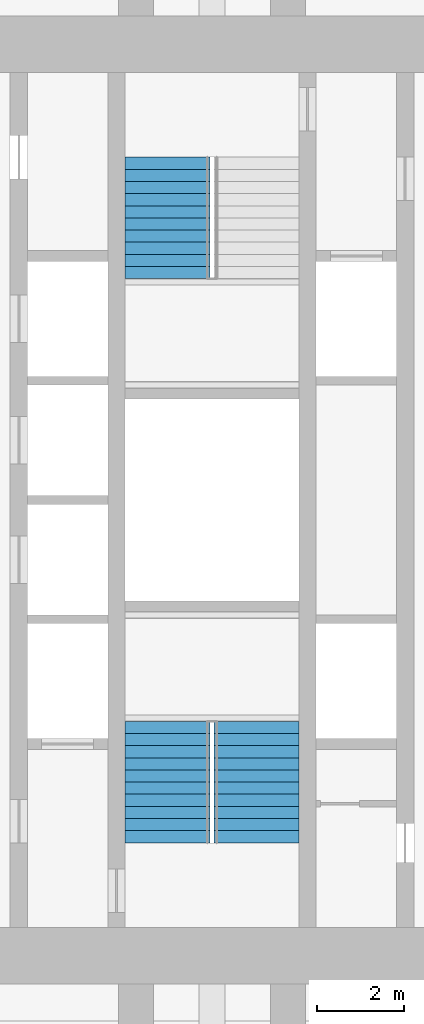
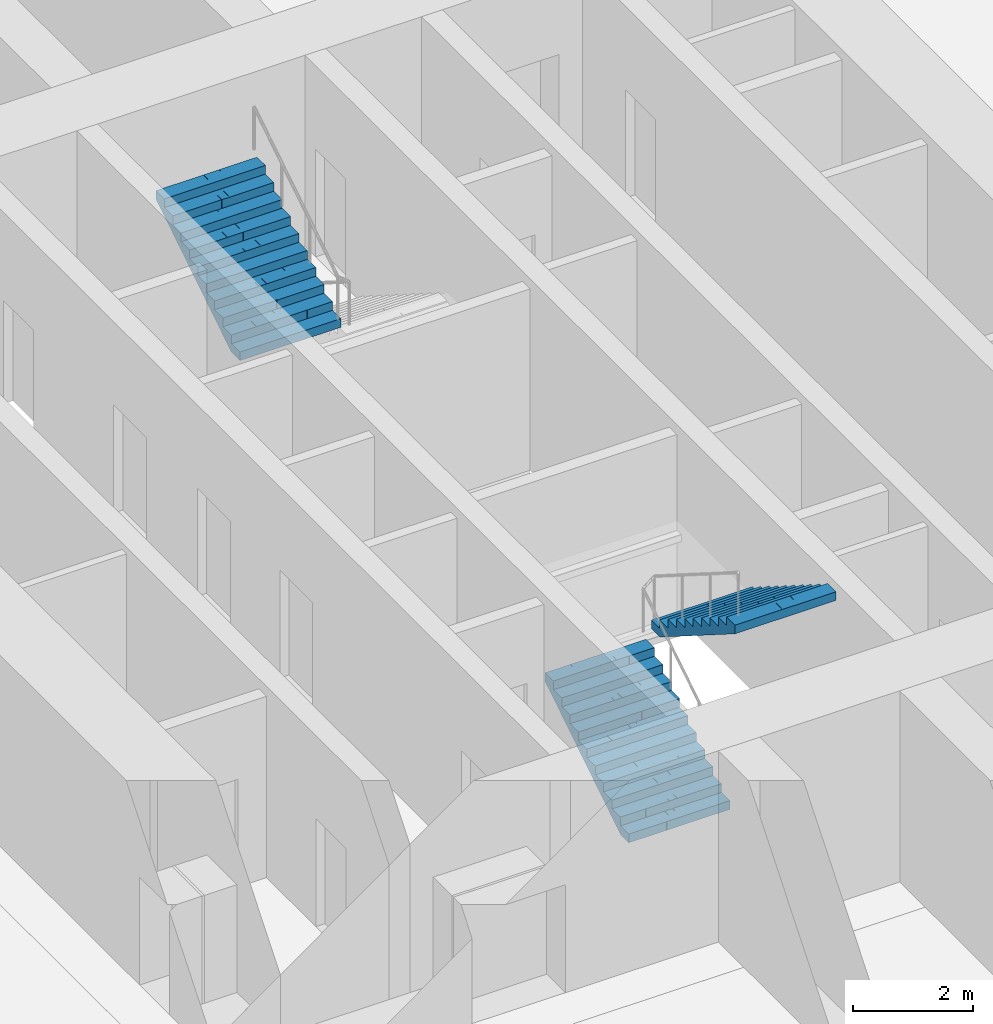
# One storey, part 18 of 20: 3 stair flights, 2 elements without a shape of their own.
"""IFC4 building model written with IfcOpenShell, lengths in metres."""

from ifc_helpers import new_model, si_unit, direction, frame, origin, place, context, subcontext, project, spatial, polyline, outline, extrude, material, type_object, element, aggregate, save


model = new_model("IFC4")

# Units and contexts
model_context = context("Model", 3, precision=1e-05, world=origin(), true_north=direction((0.0, 1.0)))
body_context = subcontext(model_context, "Body", "Model", "MODEL_VIEW")
ifc_project = project(units=[si_unit("LENGTHUNIT", "METRE"), si_unit("AREAUNIT", "SQUARE_METRE"), si_unit("VOLUMEUNIT", "CUBIC_METRE"), si_unit("PLANEANGLEUNIT", "RADIAN"), si_unit("MASSUNIT", "GRAM", prefix="KILO")], contexts=[model_context])

# Site, building, storey
site_placement = place(None, origin())
site = spatial("IfcSite", under=ifc_project, at=site_placement, CompositionType="ELEMENT")
building_placement = place(site_placement, origin())
building = spatial("IfcBuilding", under=site, at=building_placement, Name="Mizan Broadcast Tower", CompositionType="ELEMENT")
storey_placement = place(building_placement, frame((0.0, 0.0, 139.800048828125)))
storey = spatial("IfcBuildingStorey", under=building, at=storey_placement, Name="L31", CompositionType="ELEMENT", Elevation=139.800048828125)

# Stair, stair flights
ifc_material_1 = material(Name="Concrete C40/50", Category="concrete")
stair_type = type_object("IfcStairType", Name="EXIT STAIR", PredefinedType="HALF_TURN_STAIR", material=ifc_material_1)
stair_1_placement = place(storey_placement, origin())
stair_1 = element("IfcStair", 1, at=stair_1_placement, inside=storey, type_object=stair_type, Name="Stair A L31", PredefinedType="HALF_TURN_STAIR")
ifc_material_2 = material(Name="Concrete C40/50", Category="concrete")
stair_flight_type = type_object("IfcStairFlightType", Name="EXIT STAIR FLIGHT", PredefinedType="STRAIGHT", material=ifc_material_2)
stair_flight_1_placement = place(storey_placement, frame((-1.02490234375, -7.89990234375, 0.0), z_axis=(0.0, 0.0, 1.0), x_axis=(0.0, 1.0, 0.0)))
stair_flight_1 = element("IfcStairFlight", 2, at=stair_flight_1_placement, type_object=stair_flight_type, Name="A flight 1", NumberOfRisers=11, NumberOfTreads=10, PredefinedType="STRAIGHT", RiserHeight=0.177272727, TreadLength=0.28, context=body_context, shape_type="SweptSolid", body=[
    extrude(outline(polyline([(0.0, 0.0), (0.0, 0.17724609375), (0.280029296875, 0.17724609375), (0.280029296875, 0.3544921875), (0.56005859375, 0.3544921875), (0.56005859375, 0.53173828125), (0.840087890625, 0.53173828125), (0.840087890625, 0.708984375), (1.1201171875, 0.708984375), (1.1201171875, 0.886474609375), (1.39990234375, 0.886474609375), (1.39990234375, 1.063720703125), (1.679931640625, 1.063720703125), (1.679931640625, 1.240966796875), (1.9599609375, 1.240966796875), (1.9599609375, 1.418212890625), (2.239990234375, 1.418212890625), (2.239990234375, 1.595458984375), (2.52001953125, 1.595458984375), (2.52001953125, 1.772705078125), (2.800048828125, 1.772705078125), (2.800048828125, 1.949951171875), (2.800048828125, 1.59521484375), (0.2802734375, 0.0), (0.0, 0.0)])), frame((0.0, 0.97509765625, 0.0), z_axis=(0.0, -1.0, 0.0), x_axis=(1.0, 0.0, 0.0)), (0.0, 0.0, 1.0), 0.4873046875),
    extrude(outline(polyline([(0.0, 0.0), (0.0, 0.17724609375), (0.280029296875, 0.17724609375), (0.280029296875, 0.3544921875), (0.56005859375, 0.3544921875), (0.56005859375, 0.53173828125), (0.840087890625, 0.53173828125), (0.840087890625, 0.708984375), (1.1201171875, 0.708984375), (1.1201171875, 0.886474609375), (1.39990234375, 0.886474609375), (1.39990234375, 1.063720703125), (1.679931640625, 1.063720703125), (1.679931640625, 1.240966796875), (1.9599609375, 1.240966796875), (1.9599609375, 1.418212890625), (2.239990234375, 1.418212890625), (2.239990234375, 1.595458984375), (2.52001953125, 1.595458984375), (2.52001953125, 1.772705078125), (2.800048828125, 1.772705078125), (2.800048828125, 1.949951171875), (2.800048828125, 1.59521484375), (0.2802734375, 0.0), (0.0, 0.0)])), frame((0.0, 0.4873046875, 0.0), z_axis=(0.0, -1.0, 0.0), x_axis=(1.0, 0.0, 0.0)), (0.0, 0.0, 1.0), 0.2431640625),
    extrude(outline(polyline([(0.0, 0.0), (0.0, 0.17724609375), (0.280029296875, 0.17724609375), (0.280029296875, 0.3544921875), (0.56005859375, 0.3544921875), (0.56005859375, 0.53173828125), (0.840087890625, 0.53173828125), (0.840087890625, 0.708984375), (1.1201171875, 0.708984375), (1.1201171875, 0.886474609375), (1.39990234375, 0.886474609375), (1.39990234375, 1.063720703125), (1.679931640625, 1.063720703125), (1.679931640625, 1.240966796875), (1.9599609375, 1.240966796875), (1.9599609375, 1.418212890625), (2.239990234375, 1.418212890625), (2.239990234375, 1.595458984375), (2.52001953125, 1.595458984375), (2.52001953125, 1.772705078125), (2.800048828125, 1.772705078125), (2.800048828125, 1.949951171875), (2.800048828125, 1.59521484375), (0.2802734375, 0.0), (0.0, 0.0)])), frame((0.0, 0.24365234375, 0.0), z_axis=(0.0, -1.0, 0.0), x_axis=(1.0, 0.0, 0.0)), (0.0, 0.0, 1.0), 0.121337890625),
    extrude(outline(polyline([(0.0, 0.0), (0.0, 0.17724609375), (0.280029296875, 0.17724609375), (0.280029296875, 0.3544921875), (0.56005859375, 0.3544921875), (0.56005859375, 0.53173828125), (0.840087890625, 0.53173828125), (0.840087890625, 0.708984375), (1.1201171875, 0.708984375), (1.1201171875, 0.886474609375), (1.39990234375, 0.886474609375), (1.39990234375, 1.063720703125), (1.679931640625, 1.063720703125), (1.679931640625, 1.240966796875), (1.9599609375, 1.240966796875), (1.9599609375, 1.418212890625), (2.239990234375, 1.418212890625), (2.239990234375, 1.595458984375), (2.52001953125, 1.595458984375), (2.52001953125, 1.772705078125), (2.800048828125, 1.772705078125), (2.800048828125, 1.949951171875), (2.800048828125, 1.59521484375), (0.2802734375, 0.0), (0.0, 0.0)])), frame((0.0, 0.121826171875, 0.0), z_axis=(0.0, -1.0, 0.0), x_axis=(1.0, 0.0, 0.0)), (0.0, 0.0, 1.0), 0.060546875),
    extrude(outline(polyline([(0.0, 0.0), (0.0, 0.17724609375), (0.280029296875, 0.17724609375), (0.280029296875, 0.3544921875), (0.56005859375, 0.3544921875), (0.56005859375, 0.53173828125), (0.840087890625, 0.53173828125), (0.840087890625, 0.708984375), (1.1201171875, 0.708984375), (1.1201171875, 0.886474609375), (1.39990234375, 0.886474609375), (1.39990234375, 1.063720703125), (1.679931640625, 1.063720703125), (1.679931640625, 1.240966796875), (1.9599609375, 1.240966796875), (1.9599609375, 1.418212890625), (2.239990234375, 1.418212890625), (2.239990234375, 1.595458984375), (2.52001953125, 1.595458984375), (2.52001953125, 1.772705078125), (2.800048828125, 1.772705078125), (2.800048828125, 1.949951171875), (2.800048828125, 1.59521484375), (0.2802734375, 0.0), (0.0, 0.0)])), frame((0.0, 0.060791015625, 0.0), z_axis=(0.0, -1.0, 0.0), x_axis=(1.0, 0.0, 0.0)), (0.0, 0.0, 1.0), 0.030029296875),
    extrude(outline(polyline([(0.0, 0.0), (0.0, 0.17724609375), (0.280029296875, 0.17724609375), (0.280029296875, 0.3544921875), (0.56005859375, 0.3544921875), (0.56005859375, 0.53173828125), (0.840087890625, 0.53173828125), (0.840087890625, 0.708984375), (1.1201171875, 0.708984375), (1.1201171875, 0.886474609375), (1.39990234375, 0.886474609375), (1.39990234375, 1.063720703125), (1.679931640625, 1.063720703125), (1.679931640625, 1.240966796875), (1.9599609375, 1.240966796875), (1.9599609375, 1.418212890625), (2.239990234375, 1.418212890625), (2.239990234375, 1.595458984375), (2.52001953125, 1.595458984375), (2.52001953125, 1.772705078125), (2.800048828125, 1.772705078125), (2.800048828125, 1.949951171875), (2.800048828125, 1.59521484375), (0.2802734375, 0.0), (0.0, 0.0)])), frame((0.0, 0.0302734375, 0.0), z_axis=(0.0, -1.0, 0.0), x_axis=(1.0, 0.0, 0.0)), (0.0, 0.0, 1.0), 0.060302734375),
    extrude(outline(polyline([(0.0, 0.0), (0.0, 0.17724609375), (0.280029296875, 0.17724609375), (0.280029296875, 0.3544921875), (0.56005859375, 0.3544921875), (0.56005859375, 0.53173828125), (0.840087890625, 0.53173828125), (0.840087890625, 0.708984375), (1.1201171875, 0.708984375), (1.1201171875, 0.886474609375), (1.39990234375, 0.886474609375), (1.39990234375, 1.063720703125), (1.679931640625, 1.063720703125), (1.679931640625, 1.240966796875), (1.9599609375, 1.240966796875), (1.9599609375, 1.418212890625), (2.239990234375, 1.418212890625), (2.239990234375, 1.595458984375), (2.52001953125, 1.595458984375), (2.52001953125, 1.772705078125), (2.800048828125, 1.772705078125), (2.800048828125, 1.949951171875), (2.800048828125, 1.59521484375), (0.2802734375, 0.0), (0.0, 0.0)])), frame((0.0, -0.030517578125, 0.0), z_axis=(0.0, -1.0, 0.0), x_axis=(1.0, 0.0, 0.0)), (0.0, 0.0, 1.0), 0.030029296875),
    extrude(outline(polyline([(0.0, 0.0), (0.0, 0.17724609375), (0.280029296875, 0.17724609375), (0.280029296875, 0.3544921875), (0.56005859375, 0.3544921875), (0.56005859375, 0.53173828125), (0.840087890625, 0.53173828125), (0.840087890625, 0.708984375), (1.1201171875, 0.708984375), (1.1201171875, 0.886474609375), (1.39990234375, 0.886474609375), (1.39990234375, 1.063720703125), (1.679931640625, 1.063720703125), (1.679931640625, 1.240966796875), (1.9599609375, 1.240966796875), (1.9599609375, 1.418212890625), (2.239990234375, 1.418212890625), (2.239990234375, 1.595458984375), (2.52001953125, 1.595458984375), (2.52001953125, 1.772705078125), (2.800048828125, 1.772705078125), (2.800048828125, 1.949951171875), (2.800048828125, 1.59521484375), (0.2802734375, 0.0), (0.0, 0.0)])), frame((0.0, -0.06103515625, 0.0), z_axis=(0.0, -1.0, 0.0), x_axis=(1.0, 0.0, 0.0)), (0.0, 0.0, 1.0), 0.060546875),
    extrude(outline(polyline([(0.0, 0.0), (0.0, 0.17724609375), (0.280029296875, 0.17724609375), (0.280029296875, 0.3544921875), (0.56005859375, 0.3544921875), (0.56005859375, 0.53173828125), (0.840087890625, 0.53173828125), (0.840087890625, 0.708984375), (1.1201171875, 0.708984375), (1.1201171875, 0.886474609375), (1.39990234375, 0.886474609375), (1.39990234375, 1.063720703125), (1.679931640625, 1.063720703125), (1.679931640625, 1.240966796875), (1.9599609375, 1.240966796875), (1.9599609375, 1.418212890625), (2.239990234375, 1.418212890625), (2.239990234375, 1.595458984375), (2.52001953125, 1.595458984375), (2.52001953125, 1.772705078125), (2.800048828125, 1.772705078125), (2.800048828125, 1.949951171875), (2.800048828125, 1.59521484375), (0.2802734375, 0.0), (0.0, 0.0)])), frame((0.0, -0.1220703125, 0.0), z_axis=(0.0, -1.0, 0.0), x_axis=(1.0, 0.0, 0.0)), (0.0, 0.0, 1.0), 0.121337890625),
    extrude(outline(polyline([(0.0, 0.0), (0.0, 0.17724609375), (0.280029296875, 0.17724609375), (0.280029296875, 0.3544921875), (0.56005859375, 0.3544921875), (0.56005859375, 0.53173828125), (0.840087890625, 0.53173828125), (0.840087890625, 0.708984375), (1.1201171875, 0.708984375), (1.1201171875, 0.886474609375), (1.39990234375, 0.886474609375), (1.39990234375, 1.063720703125), (1.679931640625, 1.063720703125), (1.679931640625, 1.240966796875), (1.9599609375, 1.240966796875), (1.9599609375, 1.418212890625), (2.239990234375, 1.418212890625), (2.239990234375, 1.595458984375), (2.52001953125, 1.595458984375), (2.52001953125, 1.772705078125), (2.800048828125, 1.772705078125), (2.800048828125, 1.949951171875), (2.800048828125, 1.59521484375), (0.2802734375, 0.0), (0.0, 0.0)])), frame((0.0, -0.243896484375, 0.0), z_axis=(0.0, -1.0, 0.0), x_axis=(1.0, 0.0, 0.0)), (0.0, 0.0, 1.0), 0.2431640625),
    extrude(outline(polyline([(0.0, 0.0), (0.0, 0.17724609375), (0.280029296875, 0.17724609375), (0.280029296875, 0.3544921875), (0.56005859375, 0.3544921875), (0.56005859375, 0.53173828125), (0.840087890625, 0.53173828125), (0.840087890625, 0.708984375), (1.1201171875, 0.708984375), (1.1201171875, 0.886474609375), (1.39990234375, 0.886474609375), (1.39990234375, 1.063720703125), (1.679931640625, 1.063720703125), (1.679931640625, 1.240966796875), (1.9599609375, 1.240966796875), (1.9599609375, 1.418212890625), (2.239990234375, 1.418212890625), (2.239990234375, 1.595458984375), (2.52001953125, 1.595458984375), (2.52001953125, 1.772705078125), (2.800048828125, 1.772705078125), (2.800048828125, 1.949951171875), (2.800048828125, 1.59521484375), (0.2802734375, 0.0), (0.0, 0.0)])), frame((0.0, -0.487548828125, 0.0), z_axis=(0.0, -1.0, 0.0), x_axis=(1.0, 0.0, 0.0)), (0.0, 0.0, 1.0), 0.4873046875),
])
stair_flight_2_placement = place(storey_placement, frame((1.02490234375, -5.10009765625, 1.949951171875), z_axis=(0.0, 0.0, 1.0), x_axis=(0.0, -1.0, 0.0)))
stair_flight_2 = element("IfcStairFlight", 3, at=stair_flight_2_placement, type_object=stair_flight_type, Name="A flight 2", NumberOfRisers=11, NumberOfTreads=10, PredefinedType="STRAIGHT", RiserHeight=0.177272727, TreadLength=0.28, context=body_context, shape_type="SweptSolid", body=[
    extrude(outline(polyline([(0.0, 0.0), (0.0, 0.17724609375), (0.280029296875, 0.17724609375), (0.280029296875, 0.3544921875), (0.56005859375, 0.3544921875), (0.56005859375, 0.53173828125), (0.840087890625, 0.53173828125), (0.840087890625, 0.708984375), (1.1201171875, 0.708984375), (1.1201171875, 0.886474609375), (1.39990234375, 0.886474609375), (1.39990234375, 1.063720703125), (1.679931640625, 1.063720703125), (1.679931640625, 1.240966796875), (1.9599609375, 1.240966796875), (1.9599609375, 1.418212890625), (2.239990234375, 1.418212890625), (2.239990234375, 1.595458984375), (2.52001953125, 1.595458984375), (2.52001953125, 1.772705078125), (2.800048828125, 1.772705078125), (2.800048828125, 1.949951171875), (2.800048828125, 1.59521484375), (0.2802734375, 0.0), (0.0, 0.0)])), frame((0.0, 0.97509765625, 0.0), z_axis=(0.0, -1.0, 0.0), x_axis=(1.0, 0.0, 0.0)), (0.0, 0.0, 1.0), 0.4873046875),
    extrude(outline(polyline([(0.0, 0.0), (0.0, 0.17724609375), (0.280029296875, 0.17724609375), (0.280029296875, 0.3544921875), (0.56005859375, 0.3544921875), (0.56005859375, 0.53173828125), (0.840087890625, 0.53173828125), (0.840087890625, 0.708984375), (1.1201171875, 0.708984375), (1.1201171875, 0.886474609375), (1.39990234375, 0.886474609375), (1.39990234375, 1.063720703125), (1.679931640625, 1.063720703125), (1.679931640625, 1.240966796875), (1.9599609375, 1.240966796875), (1.9599609375, 1.418212890625), (2.239990234375, 1.418212890625), (2.239990234375, 1.595458984375), (2.52001953125, 1.595458984375), (2.52001953125, 1.772705078125), (2.800048828125, 1.772705078125), (2.800048828125, 1.949951171875), (2.800048828125, 1.59521484375), (0.2802734375, 0.0), (0.0, 0.0)])), frame((0.0, 0.4873046875, 0.0), z_axis=(0.0, -1.0, 0.0), x_axis=(1.0, 0.0, 0.0)), (0.0, 0.0, 1.0), 0.2431640625),
    extrude(outline(polyline([(0.0, 0.0), (0.0, 0.17724609375), (0.280029296875, 0.17724609375), (0.280029296875, 0.3544921875), (0.56005859375, 0.3544921875), (0.56005859375, 0.53173828125), (0.840087890625, 0.53173828125), (0.840087890625, 0.708984375), (1.1201171875, 0.708984375), (1.1201171875, 0.886474609375), (1.39990234375, 0.886474609375), (1.39990234375, 1.063720703125), (1.679931640625, 1.063720703125), (1.679931640625, 1.240966796875), (1.9599609375, 1.240966796875), (1.9599609375, 1.418212890625), (2.239990234375, 1.418212890625), (2.239990234375, 1.595458984375), (2.52001953125, 1.595458984375), (2.52001953125, 1.772705078125), (2.800048828125, 1.772705078125), (2.800048828125, 1.949951171875), (2.800048828125, 1.59521484375), (0.2802734375, 0.0), (0.0, 0.0)])), frame((0.0, 0.24365234375, 0.0), z_axis=(0.0, -1.0, 0.0), x_axis=(1.0, 0.0, 0.0)), (0.0, 0.0, 1.0), 0.121337890625),
    extrude(outline(polyline([(0.0, 0.0), (0.0, 0.17724609375), (0.280029296875, 0.17724609375), (0.280029296875, 0.3544921875), (0.56005859375, 0.3544921875), (0.56005859375, 0.53173828125), (0.840087890625, 0.53173828125), (0.840087890625, 0.708984375), (1.1201171875, 0.708984375), (1.1201171875, 0.886474609375), (1.39990234375, 0.886474609375), (1.39990234375, 1.063720703125), (1.679931640625, 1.063720703125), (1.679931640625, 1.240966796875), (1.9599609375, 1.240966796875), (1.9599609375, 1.418212890625), (2.239990234375, 1.418212890625), (2.239990234375, 1.595458984375), (2.52001953125, 1.595458984375), (2.52001953125, 1.772705078125), (2.800048828125, 1.772705078125), (2.800048828125, 1.949951171875), (2.800048828125, 1.59521484375), (0.2802734375, 0.0), (0.0, 0.0)])), frame((0.0, 0.121826171875, 0.0), z_axis=(0.0, -1.0, 0.0), x_axis=(1.0, 0.0, 0.0)), (0.0, 0.0, 1.0), 0.060546875),
    extrude(outline(polyline([(0.0, 0.0), (0.0, 0.17724609375), (0.280029296875, 0.17724609375), (0.280029296875, 0.3544921875), (0.56005859375, 0.3544921875), (0.56005859375, 0.53173828125), (0.840087890625, 0.53173828125), (0.840087890625, 0.708984375), (1.1201171875, 0.708984375), (1.1201171875, 0.886474609375), (1.39990234375, 0.886474609375), (1.39990234375, 1.063720703125), (1.679931640625, 1.063720703125), (1.679931640625, 1.240966796875), (1.9599609375, 1.240966796875), (1.9599609375, 1.418212890625), (2.239990234375, 1.418212890625), (2.239990234375, 1.595458984375), (2.52001953125, 1.595458984375), (2.52001953125, 1.772705078125), (2.800048828125, 1.772705078125), (2.800048828125, 1.949951171875), (2.800048828125, 1.59521484375), (0.2802734375, 0.0), (0.0, 0.0)])), frame((0.0, 0.060791015625, 0.0), z_axis=(0.0, -1.0, 0.0), x_axis=(1.0, 0.0, 0.0)), (0.0, 0.0, 1.0), 0.030029296875),
    extrude(outline(polyline([(0.0, 0.0), (0.0, 0.17724609375), (0.280029296875, 0.17724609375), (0.280029296875, 0.3544921875), (0.56005859375, 0.3544921875), (0.56005859375, 0.53173828125), (0.840087890625, 0.53173828125), (0.840087890625, 0.708984375), (1.1201171875, 0.708984375), (1.1201171875, 0.886474609375), (1.39990234375, 0.886474609375), (1.39990234375, 1.063720703125), (1.679931640625, 1.063720703125), (1.679931640625, 1.240966796875), (1.9599609375, 1.240966796875), (1.9599609375, 1.418212890625), (2.239990234375, 1.418212890625), (2.239990234375, 1.595458984375), (2.52001953125, 1.595458984375), (2.52001953125, 1.772705078125), (2.800048828125, 1.772705078125), (2.800048828125, 1.949951171875), (2.800048828125, 1.59521484375), (0.2802734375, 0.0), (0.0, 0.0)])), frame((0.0, 0.0302734375, 0.0), z_axis=(0.0, -1.0, 0.0), x_axis=(1.0, 0.0, 0.0)), (0.0, 0.0, 1.0), 0.060302734375),
    extrude(outline(polyline([(0.0, 0.0), (0.0, 0.17724609375), (0.280029296875, 0.17724609375), (0.280029296875, 0.3544921875), (0.56005859375, 0.3544921875), (0.56005859375, 0.53173828125), (0.840087890625, 0.53173828125), (0.840087890625, 0.708984375), (1.1201171875, 0.708984375), (1.1201171875, 0.886474609375), (1.39990234375, 0.886474609375), (1.39990234375, 1.063720703125), (1.679931640625, 1.063720703125), (1.679931640625, 1.240966796875), (1.9599609375, 1.240966796875), (1.9599609375, 1.418212890625), (2.239990234375, 1.418212890625), (2.239990234375, 1.595458984375), (2.52001953125, 1.595458984375), (2.52001953125, 1.772705078125), (2.800048828125, 1.772705078125), (2.800048828125, 1.949951171875), (2.800048828125, 1.59521484375), (0.2802734375, 0.0), (0.0, 0.0)])), frame((0.0, -0.030517578125, 0.0), z_axis=(0.0, -1.0, 0.0), x_axis=(1.0, 0.0, 0.0)), (0.0, 0.0, 1.0), 0.030029296875),
    extrude(outline(polyline([(0.0, 0.0), (0.0, 0.17724609375), (0.280029296875, 0.17724609375), (0.280029296875, 0.3544921875), (0.56005859375, 0.3544921875), (0.56005859375, 0.53173828125), (0.840087890625, 0.53173828125), (0.840087890625, 0.708984375), (1.1201171875, 0.708984375), (1.1201171875, 0.886474609375), (1.39990234375, 0.886474609375), (1.39990234375, 1.063720703125), (1.679931640625, 1.063720703125), (1.679931640625, 1.240966796875), (1.9599609375, 1.240966796875), (1.9599609375, 1.418212890625), (2.239990234375, 1.418212890625), (2.239990234375, 1.595458984375), (2.52001953125, 1.595458984375), (2.52001953125, 1.772705078125), (2.800048828125, 1.772705078125), (2.800048828125, 1.949951171875), (2.800048828125, 1.59521484375), (0.2802734375, 0.0), (0.0, 0.0)])), frame((0.0, -0.06103515625, 0.0), z_axis=(0.0, -1.0, 0.0), x_axis=(1.0, 0.0, 0.0)), (0.0, 0.0, 1.0), 0.060546875),
    extrude(outline(polyline([(0.0, 0.0), (0.0, 0.17724609375), (0.280029296875, 0.17724609375), (0.280029296875, 0.3544921875), (0.56005859375, 0.3544921875), (0.56005859375, 0.53173828125), (0.840087890625, 0.53173828125), (0.840087890625, 0.708984375), (1.1201171875, 0.708984375), (1.1201171875, 0.886474609375), (1.39990234375, 0.886474609375), (1.39990234375, 1.063720703125), (1.679931640625, 1.063720703125), (1.679931640625, 1.240966796875), (1.9599609375, 1.240966796875), (1.9599609375, 1.418212890625), (2.239990234375, 1.418212890625), (2.239990234375, 1.595458984375), (2.52001953125, 1.595458984375), (2.52001953125, 1.772705078125), (2.800048828125, 1.772705078125), (2.800048828125, 1.949951171875), (2.800048828125, 1.59521484375), (0.2802734375, 0.0), (0.0, 0.0)])), frame((0.0, -0.1220703125, 0.0), z_axis=(0.0, -1.0, 0.0), x_axis=(1.0, 0.0, 0.0)), (0.0, 0.0, 1.0), 0.121337890625),
    extrude(outline(polyline([(0.0, 0.0), (0.0, 0.17724609375), (0.280029296875, 0.17724609375), (0.280029296875, 0.3544921875), (0.56005859375, 0.3544921875), (0.56005859375, 0.53173828125), (0.840087890625, 0.53173828125), (0.840087890625, 0.708984375), (1.1201171875, 0.708984375), (1.1201171875, 0.886474609375), (1.39990234375, 0.886474609375), (1.39990234375, 1.063720703125), (1.679931640625, 1.063720703125), (1.679931640625, 1.240966796875), (1.9599609375, 1.240966796875), (1.9599609375, 1.418212890625), (2.239990234375, 1.418212890625), (2.239990234375, 1.595458984375), (2.52001953125, 1.595458984375), (2.52001953125, 1.772705078125), (2.800048828125, 1.772705078125), (2.800048828125, 1.949951171875), (2.800048828125, 1.59521484375), (0.2802734375, 0.0), (0.0, 0.0)])), frame((0.0, -0.243896484375, 0.0), z_axis=(0.0, -1.0, 0.0), x_axis=(1.0, 0.0, 0.0)), (0.0, 0.0, 1.0), 0.2431640625),
    extrude(outline(polyline([(0.0, 0.0), (0.0, 0.17724609375), (0.280029296875, 0.17724609375), (0.280029296875, 0.3544921875), (0.56005859375, 0.3544921875), (0.56005859375, 0.53173828125), (0.840087890625, 0.53173828125), (0.840087890625, 0.708984375), (1.1201171875, 0.708984375), (1.1201171875, 0.886474609375), (1.39990234375, 0.886474609375), (1.39990234375, 1.063720703125), (1.679931640625, 1.063720703125), (1.679931640625, 1.240966796875), (1.9599609375, 1.240966796875), (1.9599609375, 1.418212890625), (2.239990234375, 1.418212890625), (2.239990234375, 1.595458984375), (2.52001953125, 1.595458984375), (2.52001953125, 1.772705078125), (2.800048828125, 1.772705078125), (2.800048828125, 1.949951171875), (2.800048828125, 1.59521484375), (0.2802734375, 0.0), (0.0, 0.0)])), frame((0.0, -0.487548828125, 0.0), z_axis=(0.0, -1.0, 0.0), x_axis=(1.0, 0.0, 0.0)), (0.0, 0.0, 1.0), 0.4873046875),
])
aggregate(stair_1, [stair_flight_1, stair_flight_2])

# Stair, stair flight
stair_2_placement = place(storey_placement, origin())
stair_2 = element("IfcStair", 4, at=stair_2_placement, inside=storey, type_object=stair_type, Name="Stair B L31", PredefinedType="HALF_TURN_STAIR")
stair_flight_3_placement = place(storey_placement, frame((-1.02490234375, 5.10009765625, 1.949951171875), z_axis=(0.0, 0.0, 1.0), x_axis=(0.0, 1.0, 0.0)))
stair_flight_3 = element("IfcStairFlight", 5, at=stair_flight_3_placement, type_object=stair_flight_type, Name="B flight 2", NumberOfRisers=11, NumberOfTreads=10, PredefinedType="STRAIGHT", RiserHeight=0.177272727, TreadLength=0.28, context=body_context, shape_type="SweptSolid", body=[
    extrude(outline(polyline([(0.0, 0.0), (0.0, 0.17724609375), (0.280029296875, 0.17724609375), (0.280029296875, 0.3544921875), (0.56005859375, 0.3544921875), (0.56005859375, 0.53173828125), (0.840087890625, 0.53173828125), (0.840087890625, 0.708984375), (1.1201171875, 0.708984375), (1.1201171875, 0.886474609375), (1.39990234375, 0.886474609375), (1.39990234375, 1.063720703125), (1.679931640625, 1.063720703125), (1.679931640625, 1.240966796875), (1.9599609375, 1.240966796875), (1.9599609375, 1.418212890625), (2.239990234375, 1.418212890625), (2.239990234375, 1.595458984375), (2.52001953125, 1.595458984375), (2.52001953125, 1.772705078125), (2.800048828125, 1.772705078125), (2.800048828125, 1.949951171875), (2.800048828125, 1.59521484375), (0.2802734375, 0.0), (0.0, 0.0)])), frame((0.0, 0.97509765625, 0.0), z_axis=(0.0, -1.0, 0.0), x_axis=(1.0, 0.0, 0.0)), (0.0, 0.0, 1.0), 0.4873046875),
    extrude(outline(polyline([(0.0, 0.0), (0.0, 0.17724609375), (0.280029296875, 0.17724609375), (0.280029296875, 0.3544921875), (0.56005859375, 0.3544921875), (0.56005859375, 0.53173828125), (0.840087890625, 0.53173828125), (0.840087890625, 0.708984375), (1.1201171875, 0.708984375), (1.1201171875, 0.886474609375), (1.39990234375, 0.886474609375), (1.39990234375, 1.063720703125), (1.679931640625, 1.063720703125), (1.679931640625, 1.240966796875), (1.9599609375, 1.240966796875), (1.9599609375, 1.418212890625), (2.239990234375, 1.418212890625), (2.239990234375, 1.595458984375), (2.52001953125, 1.595458984375), (2.52001953125, 1.772705078125), (2.800048828125, 1.772705078125), (2.800048828125, 1.949951171875), (2.800048828125, 1.59521484375), (0.2802734375, 0.0), (0.0, 0.0)])), frame((0.0, 0.4873046875, 0.0), z_axis=(0.0, -1.0, 0.0), x_axis=(1.0, 0.0, 0.0)), (0.0, 0.0, 1.0), 0.2431640625),
    extrude(outline(polyline([(0.0, 0.0), (0.0, 0.17724609375), (0.280029296875, 0.17724609375), (0.280029296875, 0.3544921875), (0.56005859375, 0.3544921875), (0.56005859375, 0.53173828125), (0.840087890625, 0.53173828125), (0.840087890625, 0.708984375), (1.1201171875, 0.708984375), (1.1201171875, 0.886474609375), (1.39990234375, 0.886474609375), (1.39990234375, 1.063720703125), (1.679931640625, 1.063720703125), (1.679931640625, 1.240966796875), (1.9599609375, 1.240966796875), (1.9599609375, 1.418212890625), (2.239990234375, 1.418212890625), (2.239990234375, 1.595458984375), (2.52001953125, 1.595458984375), (2.52001953125, 1.772705078125), (2.800048828125, 1.772705078125), (2.800048828125, 1.949951171875), (2.800048828125, 1.59521484375), (0.2802734375, 0.0), (0.0, 0.0)])), frame((0.0, 0.24365234375, 0.0), z_axis=(0.0, -1.0, 0.0), x_axis=(1.0, 0.0, 0.0)), (0.0, 0.0, 1.0), 0.121337890625),
    extrude(outline(polyline([(0.0, 0.0), (0.0, 0.17724609375), (0.280029296875, 0.17724609375), (0.280029296875, 0.3544921875), (0.56005859375, 0.3544921875), (0.56005859375, 0.53173828125), (0.840087890625, 0.53173828125), (0.840087890625, 0.708984375), (1.1201171875, 0.708984375), (1.1201171875, 0.886474609375), (1.39990234375, 0.886474609375), (1.39990234375, 1.063720703125), (1.679931640625, 1.063720703125), (1.679931640625, 1.240966796875), (1.9599609375, 1.240966796875), (1.9599609375, 1.418212890625), (2.239990234375, 1.418212890625), (2.239990234375, 1.595458984375), (2.52001953125, 1.595458984375), (2.52001953125, 1.772705078125), (2.800048828125, 1.772705078125), (2.800048828125, 1.949951171875), (2.800048828125, 1.59521484375), (0.2802734375, 0.0), (0.0, 0.0)])), frame((0.0, 0.121826171875, 0.0), z_axis=(0.0, -1.0, 0.0), x_axis=(1.0, 0.0, 0.0)), (0.0, 0.0, 1.0), 0.060546875),
    extrude(outline(polyline([(0.0, 0.0), (0.0, 0.17724609375), (0.280029296875, 0.17724609375), (0.280029296875, 0.3544921875), (0.56005859375, 0.3544921875), (0.56005859375, 0.53173828125), (0.840087890625, 0.53173828125), (0.840087890625, 0.708984375), (1.1201171875, 0.708984375), (1.1201171875, 0.886474609375), (1.39990234375, 0.886474609375), (1.39990234375, 1.063720703125), (1.679931640625, 1.063720703125), (1.679931640625, 1.240966796875), (1.9599609375, 1.240966796875), (1.9599609375, 1.418212890625), (2.239990234375, 1.418212890625), (2.239990234375, 1.595458984375), (2.52001953125, 1.595458984375), (2.52001953125, 1.772705078125), (2.800048828125, 1.772705078125), (2.800048828125, 1.949951171875), (2.800048828125, 1.59521484375), (0.2802734375, 0.0), (0.0, 0.0)])), frame((0.0, 0.060791015625, 0.0), z_axis=(0.0, -1.0, 0.0), x_axis=(1.0, 0.0, 0.0)), (0.0, 0.0, 1.0), 0.030029296875),
    extrude(outline(polyline([(0.0, 0.0), (0.0, 0.17724609375), (0.280029296875, 0.17724609375), (0.280029296875, 0.3544921875), (0.56005859375, 0.3544921875), (0.56005859375, 0.53173828125), (0.840087890625, 0.53173828125), (0.840087890625, 0.708984375), (1.1201171875, 0.708984375), (1.1201171875, 0.886474609375), (1.39990234375, 0.886474609375), (1.39990234375, 1.063720703125), (1.679931640625, 1.063720703125), (1.679931640625, 1.240966796875), (1.9599609375, 1.240966796875), (1.9599609375, 1.418212890625), (2.239990234375, 1.418212890625), (2.239990234375, 1.595458984375), (2.52001953125, 1.595458984375), (2.52001953125, 1.772705078125), (2.800048828125, 1.772705078125), (2.800048828125, 1.949951171875), (2.800048828125, 1.59521484375), (0.2802734375, 0.0), (0.0, 0.0)])), frame((0.0, 0.0302734375, 0.0), z_axis=(0.0, -1.0, 0.0), x_axis=(1.0, 0.0, 0.0)), (0.0, 0.0, 1.0), 0.060302734375),
    extrude(outline(polyline([(0.0, 0.0), (0.0, 0.17724609375), (0.280029296875, 0.17724609375), (0.280029296875, 0.3544921875), (0.56005859375, 0.3544921875), (0.56005859375, 0.53173828125), (0.840087890625, 0.53173828125), (0.840087890625, 0.708984375), (1.1201171875, 0.708984375), (1.1201171875, 0.886474609375), (1.39990234375, 0.886474609375), (1.39990234375, 1.063720703125), (1.679931640625, 1.063720703125), (1.679931640625, 1.240966796875), (1.9599609375, 1.240966796875), (1.9599609375, 1.418212890625), (2.239990234375, 1.418212890625), (2.239990234375, 1.595458984375), (2.52001953125, 1.595458984375), (2.52001953125, 1.772705078125), (2.800048828125, 1.772705078125), (2.800048828125, 1.949951171875), (2.800048828125, 1.59521484375), (0.2802734375, 0.0), (0.0, 0.0)])), frame((0.0, -0.030517578125, 0.0), z_axis=(0.0, -1.0, 0.0), x_axis=(1.0, 0.0, 0.0)), (0.0, 0.0, 1.0), 0.030029296875),
    extrude(outline(polyline([(0.0, 0.0), (0.0, 0.17724609375), (0.280029296875, 0.17724609375), (0.280029296875, 0.3544921875), (0.56005859375, 0.3544921875), (0.56005859375, 0.53173828125), (0.840087890625, 0.53173828125), (0.840087890625, 0.708984375), (1.1201171875, 0.708984375), (1.1201171875, 0.886474609375), (1.39990234375, 0.886474609375), (1.39990234375, 1.063720703125), (1.679931640625, 1.063720703125), (1.679931640625, 1.240966796875), (1.9599609375, 1.240966796875), (1.9599609375, 1.418212890625), (2.239990234375, 1.418212890625), (2.239990234375, 1.595458984375), (2.52001953125, 1.595458984375), (2.52001953125, 1.772705078125), (2.800048828125, 1.772705078125), (2.800048828125, 1.949951171875), (2.800048828125, 1.59521484375), (0.2802734375, 0.0), (0.0, 0.0)])), frame((0.0, -0.06103515625, 0.0), z_axis=(0.0, -1.0, 0.0), x_axis=(1.0, 0.0, 0.0)), (0.0, 0.0, 1.0), 0.060546875),
    extrude(outline(polyline([(0.0, 0.0), (0.0, 0.17724609375), (0.280029296875, 0.17724609375), (0.280029296875, 0.3544921875), (0.56005859375, 0.3544921875), (0.56005859375, 0.53173828125), (0.840087890625, 0.53173828125), (0.840087890625, 0.708984375), (1.1201171875, 0.708984375), (1.1201171875, 0.886474609375), (1.39990234375, 0.886474609375), (1.39990234375, 1.063720703125), (1.679931640625, 1.063720703125), (1.679931640625, 1.240966796875), (1.9599609375, 1.240966796875), (1.9599609375, 1.418212890625), (2.239990234375, 1.418212890625), (2.239990234375, 1.595458984375), (2.52001953125, 1.595458984375), (2.52001953125, 1.772705078125), (2.800048828125, 1.772705078125), (2.800048828125, 1.949951171875), (2.800048828125, 1.59521484375), (0.2802734375, 0.0), (0.0, 0.0)])), frame((0.0, -0.1220703125, 0.0), z_axis=(0.0, -1.0, 0.0), x_axis=(1.0, 0.0, 0.0)), (0.0, 0.0, 1.0), 0.121337890625),
    extrude(outline(polyline([(0.0, 0.0), (0.0, 0.17724609375), (0.280029296875, 0.17724609375), (0.280029296875, 0.3544921875), (0.56005859375, 0.3544921875), (0.56005859375, 0.53173828125), (0.840087890625, 0.53173828125), (0.840087890625, 0.708984375), (1.1201171875, 0.708984375), (1.1201171875, 0.886474609375), (1.39990234375, 0.886474609375), (1.39990234375, 1.063720703125), (1.679931640625, 1.063720703125), (1.679931640625, 1.240966796875), (1.9599609375, 1.240966796875), (1.9599609375, 1.418212890625), (2.239990234375, 1.418212890625), (2.239990234375, 1.595458984375), (2.52001953125, 1.595458984375), (2.52001953125, 1.772705078125), (2.800048828125, 1.772705078125), (2.800048828125, 1.949951171875), (2.800048828125, 1.59521484375), (0.2802734375, 0.0), (0.0, 0.0)])), frame((0.0, -0.243896484375, 0.0), z_axis=(0.0, -1.0, 0.0), x_axis=(1.0, 0.0, 0.0)), (0.0, 0.0, 1.0), 0.2431640625),
    extrude(outline(polyline([(0.0, 0.0), (0.0, 0.17724609375), (0.280029296875, 0.17724609375), (0.280029296875, 0.3544921875), (0.56005859375, 0.3544921875), (0.56005859375, 0.53173828125), (0.840087890625, 0.53173828125), (0.840087890625, 0.708984375), (1.1201171875, 0.708984375), (1.1201171875, 0.886474609375), (1.39990234375, 0.886474609375), (1.39990234375, 1.063720703125), (1.679931640625, 1.063720703125), (1.679931640625, 1.240966796875), (1.9599609375, 1.240966796875), (1.9599609375, 1.418212890625), (2.239990234375, 1.418212890625), (2.239990234375, 1.595458984375), (2.52001953125, 1.595458984375), (2.52001953125, 1.772705078125), (2.800048828125, 1.772705078125), (2.800048828125, 1.949951171875), (2.800048828125, 1.59521484375), (0.2802734375, 0.0), (0.0, 0.0)])), frame((0.0, -0.487548828125, 0.0), z_axis=(0.0, -1.0, 0.0), x_axis=(1.0, 0.0, 0.0)), (0.0, 0.0, 1.0), 0.4873046875),
])
aggregate(stair_2, [stair_flight_3])

save(model, "model.ifc")
